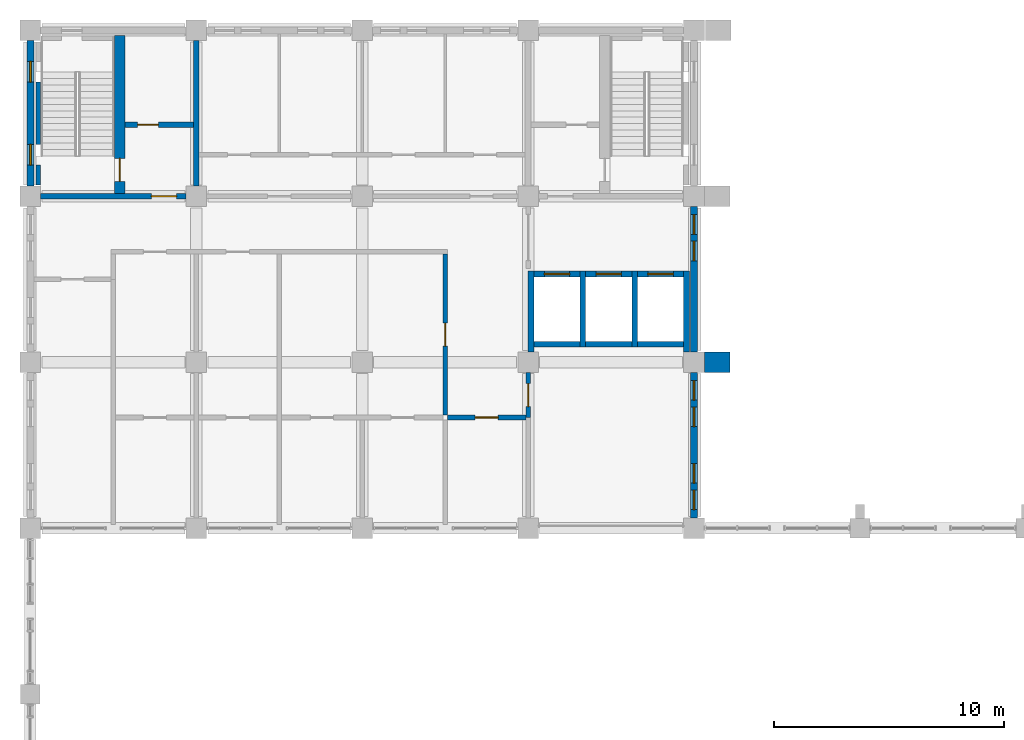
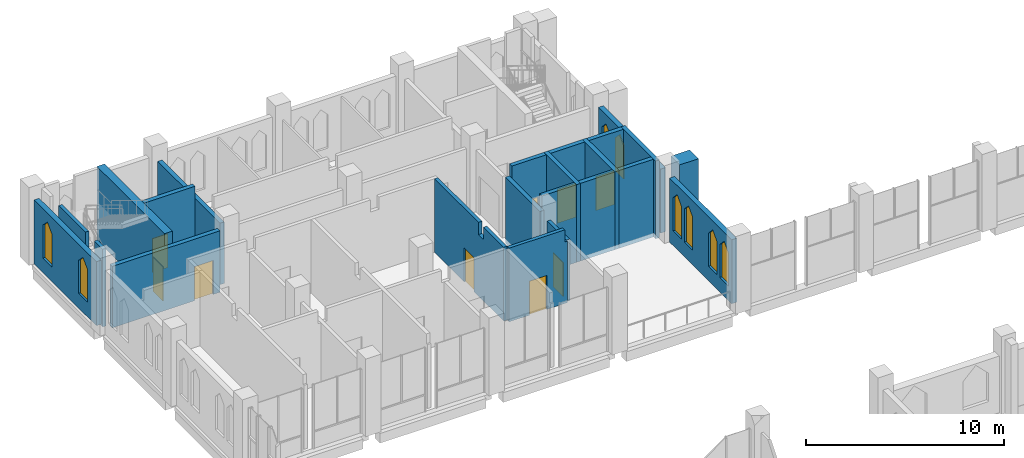
# One storey, part 31 of 40: 23 walls, 9 doors, 8 windows, 17 openings.
"""IFC4 building model written with IfcOpenShell, lengths in metres."""

from ifc_helpers import new_model, si_unit, direction, frame, frame_2d, origin, place, context, subcontext, project, spatial, polyline, rectangle, outline, extrude, material, layer, layer_set, type_object, element, fill, save


model = new_model("IFC4")

# Units and contexts
model_context = context("Model", 3, precision=1e-05, world=origin(), true_north=direction((0.0, 1.0)))
body_context = subcontext(model_context, "Body", "Model", "MODEL_VIEW")
ifc_project = project(units=[si_unit("LENGTHUNIT", "METRE"), si_unit("AREAUNIT", "SQUARE_METRE"), si_unit("VOLUMEUNIT", "CUBIC_METRE"), si_unit("PLANEANGLEUNIT", "RADIAN"), si_unit("MASSUNIT", "GRAM", prefix="KILO")], contexts=[model_context])

# Site, building, storey
site_placement = place(None, origin())
site = spatial("IfcSite", under=ifc_project, at=site_placement, CompositionType="ELEMENT")
building_placement = place(site_placement, origin())
building = spatial("IfcBuilding", under=site, at=building_placement, Name="Silangan Lancet Faculty of Sciences", CompositionType="ELEMENT")
storey_placement = place(building_placement, frame((0.0, 0.0, 16.800048828125)))
storey = spatial("IfcBuildingStorey", under=building, at=storey_placement, Name="L03", CompositionType="ELEMENT", Elevation=16.800048828125)

# Wall, openings, windows
ifc_material_1 = material(Name="Concrete C40/50 precast", Category="concrete")
ifc_layer_1 = layer(ifc_material_1, 0.300048828125)
ifc_layer_set_1 = layer_set([ifc_layer_1], Name="Concrete C40/50 precast")
wall_type_1 = type_object("IfcWallType", Name="EW1 Precast cladding wall", PredefinedType="STANDARD", material=ifc_layer_set_1)
wall_1_placement = place(storey_placement, frame((28.800048828125, 36.449951171875, 0.0), z_axis=(0.0, 0.0, 1.0), x_axis=(0.0, 1.0, 0.0)))
wall_1 = element("IfcWall", 1, at=wall_1_placement, inside=storey, type_object=wall_type_1, Name="EW-L03-E-NT-00", PredefinedType="STANDARD", context=body_context, shape_type="SweptSolid", body=[
    extrude(rectangle(XDim=6.300048828125, YDim=0.300048828125, at=frame_2d((3.14990234375, 0.0))), origin(), (0.0, 0.0, 1.0), 3.949951171875),
])
opening_1_placement = place(wall_1_placement, frame((0.35009765625, 0.0, 0.89990234375)))
opening_1 = element("IfcOpeningElement", 2, at=opening_1_placement, cuts=wall_1, Name="Opening W14", PredefinedType="OPENING", context=body_context, shape_type="SweptSolid", body=[
    extrude(outline(polyline([(0.0, 0.0), (0.85009765625, 0.0), (0.85009765625, 2.050048828125), (0.425048828125, 2.5), (0.0, 2.050048828125), (0.0, 0.0)])), frame((0.0, 0.159912109375, 0.0), z_axis=(0.0, -1.0, 0.0), x_axis=(1.0, 0.0, 0.0)), (0.0, 0.0, 1.0), 0.320068359375),
])
opening_2_placement = place(wall_1_placement, frame((1.5, 0.0, 0.89990234375)))
opening_2 = element("IfcOpeningElement", 3, at=opening_2_placement, cuts=wall_1, Name="Opening W14", PredefinedType="OPENING", context=body_context, shape_type="SweptSolid", body=[
    extrude(outline(polyline([(0.0, 0.0), (0.85009765625, 0.0), (0.85009765625, 2.050048828125), (0.425048828125, 2.5), (0.0, 2.050048828125), (0.0, 0.0)])), frame((0.0, 0.159912109375, 0.0), z_axis=(0.0, -1.0, 0.0), x_axis=(1.0, 0.0, 0.0)), (0.0, 0.0, 1.0), 0.320068359375),
])
opening_3_placement = place(wall_1_placement, frame((3.949951171875, 0.0, 0.89990234375)))
opening_3 = element("IfcOpeningElement", 4, at=opening_3_placement, cuts=wall_1, Name="Opening W14", PredefinedType="OPENING", context=body_context, shape_type="SweptSolid", body=[
    extrude(outline(polyline([(0.0, 0.0), (0.85009765625, 0.0), (0.85009765625, 2.050048828125), (0.425048828125, 2.5), (0.0, 2.050048828125), (0.0, 0.0)])), frame((0.0, 0.159912109375, 0.0), z_axis=(0.0, -1.0, 0.0), x_axis=(1.0, 0.0, 0.0)), (0.0, 0.0, 1.0), 0.320068359375),
])
opening_4_placement = place(wall_1_placement, frame((5.10009765625, 0.0, 0.89990234375)))
opening_4 = element("IfcOpeningElement", 5, at=opening_4_placement, cuts=wall_1, Name="Opening W14", PredefinedType="OPENING", context=body_context, shape_type="SweptSolid", body=[
    extrude(outline(polyline([(0.0, 0.0), (0.85009765625, 0.0), (0.85009765625, 2.050048828125), (0.425048828125, 2.5), (0.0, 2.050048828125), (0.0, 0.0)])), frame((0.0, 0.159912109375, 0.0), z_axis=(0.0, -1.0, 0.0), x_axis=(1.0, 0.0, 0.0)), (0.0, 0.0, 1.0), 0.320068359375),
])
ifc_material_2 = material(Name="Aluminium frame, laminated double glazing", Category="aluminium")
window_type_1 = type_object("IfcWindowType", Name="W14 Lancet window 850 x 2500", PartitioningType="SINGLE_PANEL", PredefinedType="WINDOW", material=ifc_material_2)
window_1_placement = place(opening_1_placement, origin())
window_1 = element("IfcWindow", 6, at=window_1_placement, inside=storey, type_object=window_type_1, Name="WIN-L03-E-NT-00a1", OverallHeight=2.5, OverallWidth=0.85009765625, PartitioningType="SINGLE_PANEL", PredefinedType="WINDOW", context=body_context, shape_type="SweptSolid", body=[
    extrude(outline(polyline([(0.0, 0.0), (0.85009765625, 0.0), (0.85009765625, 2.050048828125), (0.425048828125, 2.5), (0.0, 2.050048828125), (0.0, 0.0)])), frame((0.0, 0.030029296875, 0.0), z_axis=(0.0, -1.0, 0.0), x_axis=(1.0, 0.0, 0.0)), (0.0, 0.0, 1.0), 0.06005859375),
])
fill(opening_1, window_1)
window_2_placement = place(opening_2_placement, origin())
window_2 = element("IfcWindow", 7, at=window_2_placement, inside=storey, type_object=window_type_1, Name="WIN-L03-E-NT-00a2", OverallHeight=2.5, OverallWidth=0.85009765625, PartitioningType="SINGLE_PANEL", PredefinedType="WINDOW", context=body_context, shape_type="SweptSolid", body=[
    extrude(outline(polyline([(0.0, 0.0), (0.85009765625, 0.0), (0.85009765625, 2.050048828125), (0.425048828125, 2.5), (0.0, 2.050048828125), (0.0, 0.0)])), frame((0.0, 0.030029296875, 0.0), z_axis=(0.0, -1.0, 0.0), x_axis=(1.0, 0.0, 0.0)), (0.0, 0.0, 1.0), 0.06005859375),
])
fill(opening_2, window_2)
window_3_placement = place(opening_3_placement, origin())
window_3 = element("IfcWindow", 8, at=window_3_placement, inside=storey, type_object=window_type_1, Name="WIN-L03-E-NT-00b1", OverallHeight=2.5, OverallWidth=0.85009765625, PartitioningType="SINGLE_PANEL", PredefinedType="WINDOW", context=body_context, shape_type="SweptSolid", body=[
    extrude(outline(polyline([(0.0, 0.0), (0.85009765625, 0.0), (0.85009765625, 2.050048828125), (0.425048828125, 2.5), (0.0, 2.050048828125), (0.0, 0.0)])), frame((0.0, 0.030029296875, 0.0), z_axis=(0.0, -1.0, 0.0), x_axis=(1.0, 0.0, 0.0)), (0.0, 0.0, 1.0), 0.06005859375),
])
fill(opening_3, window_3)
window_4_placement = place(opening_4_placement, origin())
window_4 = element("IfcWindow", 9, at=window_4_placement, inside=storey, type_object=window_type_1, Name="WIN-L03-E-NT-00b2", OverallHeight=2.5, OverallWidth=0.85009765625, PartitioningType="SINGLE_PANEL", PredefinedType="WINDOW", context=body_context, shape_type="SweptSolid", body=[
    extrude(outline(polyline([(0.0, 0.0), (0.85009765625, 0.0), (0.85009765625, 2.050048828125), (0.425048828125, 2.5), (0.0, 2.050048828125), (0.0, 0.0)])), frame((0.0, 0.030029296875, 0.0), z_axis=(0.0, -1.0, 0.0), x_axis=(1.0, 0.0, 0.0)), (0.0, 0.0, 1.0), 0.06005859375),
])
fill(opening_4, window_4)

wall_2_placement = place(storey_placement, frame((28.800048828125, 43.64990234375, 0.0), z_axis=(0.0, 0.0, 1.0), x_axis=(0.0, 1.0, 0.0)))
wall_2 = element("IfcWall", 10, at=wall_2_placement, inside=storey, type_object=wall_type_1, Name="EW-L03-E-NT-01", PredefinedType="STANDARD", context=body_context, shape_type="SweptSolid", body=[
    extrude(rectangle(XDim=6.300048828125, YDim=0.300048828125, at=frame_2d((3.14990234375, 0.0))), origin(), (0.0, 0.0, 1.0), 3.949951171875),
])
opening_5_placement = place(wall_2_placement, frame((3.949951171875, 0.0, 0.89990234375)))
opening_5 = element("IfcOpeningElement", 11, at=opening_5_placement, cuts=wall_2, Name="Opening W14", PredefinedType="OPENING", context=body_context, shape_type="SweptSolid", body=[
    extrude(outline(polyline([(0.0, 0.0), (0.85009765625, 0.0), (0.85009765625, 2.050048828125), (0.425048828125, 2.5), (0.0, 2.050048828125), (0.0, 0.0)])), frame((0.0, 0.159912109375, 0.0), z_axis=(0.0, -1.0, 0.0), x_axis=(1.0, 0.0, 0.0)), (0.0, 0.0, 1.0), 0.320068359375),
])
opening_6_placement = place(wall_2_placement, frame((5.10009765625, 0.0, 0.89990234375)))
opening_6 = element("IfcOpeningElement", 12, at=opening_6_placement, cuts=wall_2, Name="Opening W14", PredefinedType="OPENING", context=body_context, shape_type="SweptSolid", body=[
    extrude(outline(polyline([(0.0, 0.0), (0.85009765625, 0.0), (0.85009765625, 2.050048828125), (0.425048828125, 2.5), (0.0, 2.050048828125), (0.0, 0.0)])), frame((0.0, 0.159912109375, 0.0), z_axis=(0.0, -1.0, 0.0), x_axis=(1.0, 0.0, 0.0)), (0.0, 0.0, 1.0), 0.320068359375),
])
window_5_placement = place(opening_5_placement, origin())
window_5 = element("IfcWindow", 13, at=window_5_placement, inside=storey, type_object=window_type_1, Name="WIN-L03-E-NT-01b1", OverallHeight=2.5, OverallWidth=0.85009765625, PartitioningType="SINGLE_PANEL", PredefinedType="WINDOW", context=body_context, shape_type="SweptSolid", body=[
    extrude(outline(polyline([(0.0, 0.0), (0.85009765625, 0.0), (0.85009765625, 2.050048828125), (0.425048828125, 2.5), (0.0, 2.050048828125), (0.0, 0.0)])), frame((0.0, 0.030029296875, 0.0), z_axis=(0.0, -1.0, 0.0), x_axis=(1.0, 0.0, 0.0)), (0.0, 0.0, 1.0), 0.06005859375),
])
fill(opening_5, window_5)
window_6_placement = place(opening_6_placement, origin())
window_6 = element("IfcWindow", 14, at=window_6_placement, inside=storey, type_object=window_type_1, Name="WIN-L03-E-NT-01b2", OverallHeight=2.5, OverallWidth=0.85009765625, PartitioningType="SINGLE_PANEL", PredefinedType="WINDOW", context=body_context, shape_type="SweptSolid", body=[
    extrude(outline(polyline([(0.0, 0.0), (0.85009765625, 0.0), (0.85009765625, 2.050048828125), (0.425048828125, 2.5), (0.0, 2.050048828125), (0.0, 0.0)])), frame((0.0, 0.030029296875, 0.0), z_axis=(0.0, -1.0, 0.0), x_axis=(1.0, 0.0, 0.0)), (0.0, 0.0, 1.0), 0.06005859375),
])
fill(opening_6, window_6)

ifc_material_3 = material(Name="Concrete C40/50 precast", Category="concrete")
ifc_layer_2 = layer(ifc_material_3, 0.300048828125)
ifc_layer_set_2 = layer_set([ifc_layer_2], Name="Concrete C40/50 precast")
wall_type_2 = type_object("IfcWallType", Name="EW2 Turret enclosure wall", PredefinedType="STANDARD", material=ifc_layer_set_2)
wall_3_placement = place(storey_placement, frame((0.0, 50.85009765625, 0.0), z_axis=(0.0, 0.0, 1.0), x_axis=(0.0, 1.0, 0.0)))
wall_3 = element("IfcWall", 15, at=wall_3_placement, inside=storey, type_object=wall_type_2, Name="EW-L03-W-NT-02", PredefinedType="STANDARD", context=body_context, shape_type="SweptSolid", body=[
    extrude(rectangle(XDim=6.2998046875, YDim=0.300048828125, at=frame_2d((3.14990234375, 0.0))), origin(), (0.0, 0.0, 1.0), 3.949951171875),
])
opening_7_placement = place(wall_3_placement, frame((0.89990234375, 0.0, 0.89990234375)))
opening_7 = element("IfcOpeningElement", 16, at=opening_7_placement, cuts=wall_3, Name="Opening W11", PredefinedType="OPENING", context=body_context, shape_type="SweptSolid", body=[
    extrude(outline(polyline([(0.0, 0.0), (0.89990234375, 0.0), (0.89990234375, 2.050048828125), (0.449951171875, 2.5), (0.0, 2.050048828125), (0.0, 0.0)])), frame((0.0, 0.159912109375, 0.0), z_axis=(0.0, -1.0, 0.0), x_axis=(1.0, 0.0, 0.0)), (0.0, 0.0, 1.0), 0.320068359375),
])
opening_8_placement = place(wall_3_placement, frame((4.5, 0.0, 0.89990234375)))
opening_8 = element("IfcOpeningElement", 17, at=opening_8_placement, cuts=wall_3, Name="Opening W11", PredefinedType="OPENING", context=body_context, shape_type="SweptSolid", body=[
    extrude(outline(polyline([(0.0, 0.0), (0.89990234375, 0.0), (0.89990234375, 2.050048828125), (0.449951171875, 2.5), (0.0, 2.050048828125), (0.0, 0.0)])), frame((0.0, 0.159912109375, 0.0), z_axis=(0.0, -1.0, 0.0), x_axis=(1.0, 0.0, 0.0)), (0.0, 0.0, 1.0), 0.320068359375),
])
ifc_material_4 = material(Name="Aluminium frame, laminated double glazing", Category="aluminium")
window_type_2 = type_object("IfcWindowType", Name="W11 Lancet window 900 x 2500", PartitioningType="SINGLE_PANEL", PredefinedType="WINDOW", material=ifc_material_4)
window_7_placement = place(opening_7_placement, origin())
window_7 = element("IfcWindow", 18, at=window_7_placement, inside=storey, type_object=window_type_2, Name="WIN-L03-W-NT-02a", OverallHeight=2.5, OverallWidth=0.89990234375, PartitioningType="SINGLE_PANEL", PredefinedType="WINDOW", context=body_context, shape_type="SweptSolid", body=[
    extrude(outline(polyline([(0.0, 0.0), (0.89990234375, 0.0), (0.89990234375, 2.050048828125), (0.449951171875, 2.5), (0.0, 2.050048828125), (0.0, 0.0)])), frame((0.0, 0.030029296875, 0.0), z_axis=(0.0, -1.0, 0.0), x_axis=(1.0, 0.0, 0.0)), (0.0, 0.0, 1.0), 0.06005859375),
])
fill(opening_7, window_7)
window_8_placement = place(opening_8_placement, origin())
window_8 = element("IfcWindow", 19, at=window_8_placement, inside=storey, type_object=window_type_2, Name="WIN-L03-W-NT-02b", OverallHeight=2.5, OverallWidth=0.89990234375, PartitioningType="SINGLE_PANEL", PredefinedType="WINDOW", context=body_context, shape_type="SweptSolid", body=[
    extrude(outline(polyline([(0.0, 0.0), (0.89990234375, 0.0), (0.89990234375, 2.050048828125), (0.449951171875, 2.5), (0.0, 2.050048828125), (0.0, 0.0)])), frame((0.0, 0.030029296875, 0.0), z_axis=(0.0, -1.0, 0.0), x_axis=(1.0, 0.0, 0.0)), (0.0, 0.0, 1.0), 0.06005859375),
])
fill(opening_8, window_8)

# Wall
ifc_material_5 = material(Name="Concrete C40/50 precast", Category="concrete")
ifc_layer_3 = layer(ifc_material_5, 0.89990234375)
ifc_layer_set_3 = layer_set([ifc_layer_3], Name="Concrete C40/50 precast")
wall_type_3 = type_object("IfcWallType", Name="FN46 Buttress Fin column line stage 1 4550", PredefinedType="POLYGONAL", material=ifc_layer_set_3)
wall_4_placement = place(storey_placement, frame((29.25, 43.199951171875, 0.0), z_axis=(0.0, 0.0, 1.0), x_axis=(1.0, 0.0, 0.0)))
element("IfcWall", 20, at=wall_4_placement, inside=storey, type_object=wall_type_3, Name="FINC-E-NT-02", PredefinedType="POLYGONAL", context=body_context, shape_type="SweptSolid", body=[
    extrude(outline(polyline([(1.10009765625, 0.0), (1.10009765625, 4.550048828125), (0.0, 4.550048828125), (0.0, 0.0), (1.10009765625, 0.0)])), frame((0.0, 0.449951171875, 0.0), z_axis=(0.0, -1.0, 0.0), x_axis=(1.0, 0.0, 0.0)), (0.0, 0.0, 1.0), 0.89990234375),
])

# Wall, opening, door
ifc_material_6 = material(Name="Hollow block masonry fm 7 MPa", Category="masonry")
ifc_layer_4 = layer(ifc_material_6, 0.199951171875)
ifc_layer_set_4 = layer_set([ifc_layer_4], Name="Hollow block masonry fm 7 MPa")
wall_type_4 = type_object("IfcWallType", Name="Interior wall PW1 Corridor wall CHB 200", PredefinedType="PARTITIONING", material=ifc_layer_set_4)
wall_5_placement = place(storey_placement, frame((18.10009765625, 40.800048828125, 0.0), z_axis=(0.0, 0.0, 1.0), x_axis=(1.0, 0.0, 0.0)))
wall_5 = element("IfcWall", 21, at=wall_5_placement, inside=storey, type_object=wall_type_4, Name="Corridor wall CHB 200", PredefinedType="PARTITIONING", context=body_context, shape_type="SweptSolid", body=[
    extrude(outline(polyline([(0.0, 0.0), (3.39990234375, 0.0), (3.39990234375, 3.800048828125), (3.25, 3.800048828125), (3.25, 4.550048828125), (0.0, 4.550048828125), (0.0, 0.0)])), frame((0.0, 0.10009765625, 0.0), z_axis=(0.0, -1.0, 0.0), x_axis=(1.0, 0.0, 0.0)), (0.0, 0.0, 1.0), 0.199951171875),
])
opening_9_placement = place(wall_5_placement, frame((1.199951171875, 0.0, 0.0)))
opening_9 = element("IfcOpeningElement", 22, at=opening_9_placement, cuts=wall_5, Name="Opening L03-025", PredefinedType="OPENING", context=body_context, shape_type="SweptSolid", body=[
    extrude(rectangle(XDim=1.0, YDim=2.10009765625, at=frame_2d((0.5, 1.050048828125))), frame((0.0, 0.10986328125, 0.0), z_axis=(0.0, -1.0, 0.0), x_axis=(1.0, 0.0, 0.0)), (0.0, 0.0, 1.0), 0.219970703125),
])
ifc_material_7 = material(Name="Steel fire door set", Category="steel")
door_type_1 = type_object("IfcDoorType", Name="Door D1 Single leaf fire door 1000 x 2100", OperationType="SINGLE_SWING_LEFT", PredefinedType="DOOR", material=ifc_material_7)
door_1_placement = place(opening_9_placement, frame((1.0, 0.0, 0.0), z_axis=(0.0, 0.0, 1.0), x_axis=(-1.0, 0.0, 0.0)))
door_1 = element("IfcDoor", 23, at=door_1_placement, inside=storey, type_object=door_type_1, Name="Single leaf fire door 1000 x 2100", OperationType="SINGLE_SWING_LEFT", OverallHeight=2.10009765625, OverallWidth=1.0, PredefinedType="DOOR", context=body_context, shape_type="SweptSolid", body=[
    extrude(rectangle(XDim=1.0, YDim=2.10009765625, at=frame_2d((0.5, 1.050048828125))), frame((0.0, 0.025146484375, 0.0), z_axis=(0.0, -1.0, 0.0), x_axis=(1.0, 0.0, 0.0)), (0.0, 0.0, 1.0), 0.050048828125),
])
fill(opening_9, door_1)

wall_6_placement = place(storey_placement, frame((18.0, 40.89990234375, 0.0), z_axis=(0.0, 0.0, 1.0), x_axis=(0.0, 1.0, 0.0)))
wall_6 = element("IfcWall", 24, at=wall_6_placement, inside=storey, type_object=wall_type_4, Name="Corridor wall CHB 200", PredefinedType="PARTITIONING", context=body_context, shape_type="SweptSolid", body=[
    extrude(outline(polyline([(0.0, 0.0), (7.0, 0.0), (7.0, 4.550048828125), (2.550048828125, 4.550048828125), (2.550048828125, 3.800048828125), (2.050048828125, 3.800048828125), (2.050048828125, 4.550048828125), (0.0, 4.550048828125), (0.0, 0.0)])), frame((0.0, 0.10009765625, 0.0), z_axis=(0.0, -1.0, 0.0), x_axis=(1.0, 0.0, 0.0)), (0.0, 0.0, 1.0), 0.199951171875),
])
opening_10_placement = place(wall_6_placement, frame((3.0, 0.0, 0.0)))
opening_10 = element("IfcOpeningElement", 25, at=opening_10_placement, cuts=wall_6, Name="Opening L03-032", PredefinedType="OPENING", context=body_context, shape_type="SweptSolid", body=[
    extrude(rectangle(XDim=1.0, YDim=2.10009765625, at=frame_2d((0.5, 1.050048828125))), frame((0.0, 0.10986328125, 0.0), z_axis=(0.0, -1.0, 0.0), x_axis=(1.0, 0.0, 0.0)), (0.0, 0.0, 1.0), 0.219970703125),
])
door_2_placement = place(opening_10_placement, origin())
door_2 = element("IfcDoor", 26, at=door_2_placement, inside=storey, type_object=door_type_1, Name="Single leaf fire door 1000 x 2100", OperationType="SINGLE_SWING_LEFT", OverallHeight=2.10009765625, OverallWidth=1.0, PredefinedType="DOOR", context=body_context, shape_type="SweptSolid", body=[
    extrude(rectangle(XDim=1.0, YDim=2.10009765625, at=frame_2d((0.5, 1.050048828125))), frame((0.0, 0.02490234375, 0.0), z_axis=(0.0, -1.0, 0.0), x_axis=(1.0, 0.0, 0.0)), (0.0, 0.0, 1.0), 0.050048828125),
])
fill(opening_10, door_2)

wall_7_placement = place(storey_placement, frame((21.60009765625, 40.800048828125, 0.0), z_axis=(0.0, 0.0, 1.0), x_axis=(0.0, 1.0, 0.0)))
wall_7 = element("IfcWall", 27, at=wall_7_placement, inside=storey, type_object=wall_type_4, Name="Corridor wall CHB 200", PredefinedType="PARTITIONING", context=body_context, shape_type="SweptSolid", body=[
    extrude(rectangle(XDim=1.949951171875, YDim=0.199951171875, at=frame_2d((0.97509765625, 0.0))), origin(), (0.0, 0.0, 1.0), 3.800048828125),
])
opening_11_placement = place(wall_7_placement, frame((0.47509765625, 0.0, 0.0)))
opening_11 = element("IfcOpeningElement", 28, at=opening_11_placement, cuts=wall_7, Name="Opening L03-026", PredefinedType="OPENING", context=body_context, shape_type="SweptSolid", body=[
    extrude(rectangle(XDim=1.0, YDim=2.10009765625, at=frame_2d((0.5, 1.050048828125))), frame((0.0, 0.10986328125, 0.0), z_axis=(0.0, -1.0, 0.0), x_axis=(1.0, 0.0, 0.0)), (0.0, 0.0, 1.0), 0.219970703125),
])
door_3_placement = place(opening_11_placement, frame((1.0, 0.0, 0.0), z_axis=(0.0, 0.0, 1.0), x_axis=(-1.0, 0.0, 0.0)))
door_3 = element("IfcDoor", 29, at=door_3_placement, inside=storey, type_object=door_type_1, Name="Single leaf fire door 1000 x 2100", OperationType="SINGLE_SWING_RIGHT", OverallHeight=2.10009765625, OverallWidth=1.0, PredefinedType="DOOR", context=body_context, shape_type="SweptSolid", body=[
    extrude(rectangle(XDim=1.0, YDim=2.10009765625, at=frame_2d((0.5, 1.050048828125))), frame((0.0, 0.025146484375, 0.0), z_axis=(0.0, -1.0, 0.0), x_axis=(1.0, 0.0, 0.0)), (0.0, 0.0, 1.0), 0.050048828125),
])
fill(opening_11, door_3)

# Walls
ifc_material_8 = material(Name="Concrete C40/50", Category="concrete")
ifc_layer_5 = layer(ifc_material_8, 0.25)
ifc_layer_set_5 = layer_set([ifc_layer_5], Name="Concrete C40/50")
wall_type_5 = type_object("IfcWallType", Name="LIFT SHAFT WALL RC 250", PredefinedType="SHEAR", material=ifc_layer_set_5)
wall_8_placement = place(storey_placement, frame((21.72509765625, 43.64990234375, -0.25), z_axis=(0.0, 0.0, 1.0), x_axis=(0.0, 1.0, 0.0)))
element("IfcWall", 30, at=wall_8_placement, inside=storey, type_object=wall_type_5, Name="WALL-L03-NT-SW1", PredefinedType="SHEAR", context=body_context, shape_type="SweptSolid", body=[
    extrude(rectangle(XDim=3.5, YDim=0.25, at=frame_2d((1.75, 0.0))), origin(), (0.0, 0.0, 1.0), 4.050048828125),
])
for number, where, z_axis, x_axis, name in (
    (31, (23.97509765625, 43.85009765625, -0.25), (0.0, 0.0, 1.0), (0.0, 1.0, 0.0), "WALL-L03-NT-SW2"),
    (32, (26.22509765625, 43.85009765625, -0.25), (0.0, 0.0, 1.0), (0.0, 1.0, 0.0), "WALL-L03-NT-SW3"),
):
    element("IfcWall", number, at=place(storey_placement, frame(where, z_axis=z_axis, x_axis=x_axis)), inside=storey, type_object=wall_type_5, Name=name, PredefinedType="SHEAR", context=body_context, shape_type="SweptSolid", body=[
        extrude(rectangle(XDim=3.2998046875, YDim=0.25, at=frame_2d((1.64990234375, 0.0))), origin(), (0.0, 0.0, 1.0), 4.800048828125),
    ])
wall_9_placement = place(storey_placement, frame((28.47509765625, 43.64990234375, -0.25), z_axis=(0.0, 0.0, 1.0), x_axis=(0.0, 1.0, 0.0)))
element("IfcWall", 33, at=wall_9_placement, inside=storey, type_object=wall_type_5, Name="WALL-L03-NT-SW4", PredefinedType="SHEAR", context=body_context, shape_type="SweptSolid", body=[
    extrude(rectangle(XDim=3.5, YDim=0.25, at=frame_2d((1.75, 0.0))), origin(), (0.0, 0.0, 1.0), 4.800048828125),
])

# Wall, opening, door
wall_10_placement = place(storey_placement, frame((21.85009765625, 47.02490234375, -0.25), z_axis=(0.0, 0.0, 1.0), x_axis=(1.0, 0.0, 0.0)))
wall_10 = element("IfcWall", 34, at=wall_10_placement, inside=storey, type_object=wall_type_5, Name="WALL-L03-NT-L1-F", PredefinedType="SHEAR", context=body_context, shape_type="SweptSolid", body=[
    extrude(rectangle(XDim=2.0, YDim=0.25, at=frame_2d((1.0, 0.0))), origin(), (0.0, 0.0, 1.0), 4.800048828125),
])
opening_12_placement = place(wall_10_placement, frame((0.449951171875, 0.0, 0.25)))
opening_12 = element("IfcOpeningElement", 35, at=opening_12_placement, cuts=wall_10, Name="Opening L03-804", PredefinedType="OPENING", context=body_context, shape_type="SweptSolid", body=[
    extrude(rectangle(XDim=1.10009765625, YDim=2.10009765625, at=frame_2d((0.550048828125, 1.050048828125))), frame((0.0, 0.135009765625, 0.0), z_axis=(0.0, -1.0, 0.0), x_axis=(1.0, 0.0, 0.0)), (0.0, 0.0, 1.0), 0.27001953125),
])
ifc_material_9 = material(Name="Stainless steel sliding door", Category="steel")
door_type_2 = type_object("IfcDoorType", Name="LD1 Lift landing door 1100x2100", OperationType="SLIDING_TO_LEFT", PredefinedType="DOOR", material=ifc_material_9)
door_4_placement = place(opening_12_placement, origin())
door_4 = element("IfcDoor", 36, at=door_4_placement, inside=storey, type_object=door_type_2, Name="Landing door NT-L1 L03", OperationType="SLIDING_TO_LEFT", OverallHeight=2.10009765625, OverallWidth=1.10009765625, PredefinedType="DOOR", context=body_context, shape_type="SweptSolid", body=[
    extrude(rectangle(XDim=1.10009765625, YDim=2.10009765625, at=frame_2d((0.550048828125, 1.050048828125))), frame((0.0, 0.02490234375, 0.0), z_axis=(0.0, -1.0, 0.0), x_axis=(1.0, 0.0, 0.0)), (0.0, 0.0, 1.0), 0.050048828125),
])
fill(opening_12, door_4)

# Wall
wall_11_placement = place(storey_placement, frame((21.85009765625, 43.97509765625, -0.25), z_axis=(0.0, 0.0, 1.0), x_axis=(1.0, 0.0, 0.0)))
element("IfcWall", 37, at=wall_11_placement, inside=storey, type_object=wall_type_5, Name="WALL-L03-NT-L1-B", PredefinedType="SHEAR", context=body_context, shape_type="SweptSolid", body=[
    extrude(rectangle(XDim=2.0, YDim=0.25, at=frame_2d((1.0, 0.0))), origin(), (0.0, 0.0, 1.0), 4.800048828125),
])

# Wall, opening, door
wall_12_placement = place(storey_placement, frame((24.10009765625, 47.02490234375, -0.25), z_axis=(0.0, 0.0, 1.0), x_axis=(1.0, 0.0, 0.0)))
wall_12 = element("IfcWall", 38, at=wall_12_placement, inside=storey, type_object=wall_type_5, Name="WALL-L03-NT-L2-F", PredefinedType="SHEAR", context=body_context, shape_type="SweptSolid", body=[
    extrude(rectangle(XDim=2.0, YDim=0.25, at=frame_2d((1.0, 0.0))), origin(), (0.0, 0.0, 1.0), 4.800048828125),
])
opening_13_placement = place(wall_12_placement, frame((0.449951171875, 0.0, 0.25)))
opening_13 = element("IfcOpeningElement", 39, at=opening_13_placement, cuts=wall_12, Name="Opening L03-805", PredefinedType="OPENING", context=body_context, shape_type="SweptSolid", body=[
    extrude(rectangle(XDim=1.10009765625, YDim=2.10009765625, at=frame_2d((0.550048828125, 1.050048828125))), frame((0.0, 0.135009765625, 0.0), z_axis=(0.0, -1.0, 0.0), x_axis=(1.0, 0.0, 0.0)), (0.0, 0.0, 1.0), 0.27001953125),
])
door_5_placement = place(opening_13_placement, origin())
door_5 = element("IfcDoor", 40, at=door_5_placement, inside=storey, type_object=door_type_2, Name="Landing door NT-L2 L03", OperationType="SLIDING_TO_LEFT", OverallHeight=2.10009765625, OverallWidth=1.10009765625, PredefinedType="DOOR", context=body_context, shape_type="SweptSolid", body=[
    extrude(rectangle(XDim=1.10009765625, YDim=2.10009765625, at=frame_2d((0.550048828125, 1.050048828125))), frame((0.0, 0.02490234375, 0.0), z_axis=(0.0, -1.0, 0.0), x_axis=(1.0, 0.0, 0.0)), (0.0, 0.0, 1.0), 0.050048828125),
])
fill(opening_13, door_5)

# Wall
wall_13_placement = place(storey_placement, frame((24.10009765625, 43.97509765625, -0.25), z_axis=(0.0, 0.0, 1.0), x_axis=(1.0, 0.0, 0.0)))
element("IfcWall", 41, at=wall_13_placement, inside=storey, type_object=wall_type_5, Name="WALL-L03-NT-L2-B", PredefinedType="SHEAR", context=body_context, shape_type="SweptSolid", body=[
    extrude(rectangle(XDim=2.0, YDim=0.25, at=frame_2d((1.0, 0.0))), origin(), (0.0, 0.0, 1.0), 4.800048828125),
])

# Wall, opening, door
wall_14_placement = place(storey_placement, frame((26.35009765625, 47.02490234375, -0.25), z_axis=(0.0, 0.0, 1.0), x_axis=(1.0, 0.0, 0.0)))
wall_14 = element("IfcWall", 42, at=wall_14_placement, inside=storey, type_object=wall_type_5, Name="WALL-L03-NT-L3-F", PredefinedType="SHEAR", context=body_context, shape_type="SweptSolid", body=[
    extrude(rectangle(XDim=2.0, YDim=0.25, at=frame_2d((1.0, 0.0))), origin(), (0.0, 0.0, 1.0), 4.800048828125),
])
opening_14_placement = place(wall_14_placement, frame((0.449951171875, 0.0, 0.25)))
opening_14 = element("IfcOpeningElement", 43, at=opening_14_placement, cuts=wall_14, Name="Opening L03-806", PredefinedType="OPENING", context=body_context, shape_type="SweptSolid", body=[
    extrude(rectangle(XDim=1.10009765625, YDim=2.10009765625, at=frame_2d((0.550048828125, 1.050048828125))), frame((0.0, 0.135009765625, 0.0), z_axis=(0.0, -1.0, 0.0), x_axis=(1.0, 0.0, 0.0)), (0.0, 0.0, 1.0), 0.27001953125),
])
door_6_placement = place(opening_14_placement, origin())
door_6 = element("IfcDoor", 44, at=door_6_placement, inside=storey, type_object=door_type_2, Name="Landing door NT-L3 L03", OperationType="SLIDING_TO_LEFT", OverallHeight=2.10009765625, OverallWidth=1.10009765625, PredefinedType="DOOR", context=body_context, shape_type="SweptSolid", body=[
    extrude(rectangle(XDim=1.10009765625, YDim=2.10009765625, at=frame_2d((0.550048828125, 1.050048828125))), frame((0.0, 0.02490234375, 0.0), z_axis=(0.0, -1.0, 0.0), x_axis=(1.0, 0.0, 0.0)), (0.0, 0.0, 1.0), 0.050048828125),
])
fill(opening_14, door_6)

# Wall
wall_15_placement = place(storey_placement, frame((26.35009765625, 43.97509765625, -0.25), z_axis=(0.0, 0.0, 1.0), x_axis=(1.0, 0.0, 0.0)))
element("IfcWall", 45, at=wall_15_placement, inside=storey, type_object=wall_type_5, Name="WALL-L03-NT-L3-B", PredefinedType="SHEAR", context=body_context, shape_type="SweptSolid", body=[
    extrude(rectangle(XDim=2.0, YDim=0.25, at=frame_2d((1.0, 0.0))), origin(), (0.0, 0.0, 1.0), 4.800048828125),
])

# Wall, opening, door
ifc_material_10 = material(Name="Concrete C40/50", Category="concrete")
ifc_layer_6 = layer(ifc_material_10, 0.449951171875)
ifc_layer_set_6 = layer_set([ifc_layer_6], Name="Concrete C40/50")
wall_type_6 = type_object("IfcWallType", Name="TURRET CORE WALL RC 450", PredefinedType="SHEAR", material=ifc_layer_set_6)
wall_16_placement = place(storey_placement, frame((3.875, 50.52490234375, 0.0), z_axis=(0.0, 0.0, 1.0), x_axis=(0.0, 1.0, 0.0)))
wall_16 = element("IfcWall", 46, at=wall_16_placement, inside=storey, type_object=wall_type_6, Name="WALL-L03-NT-A-WELL", PredefinedType="SHEAR", context=body_context, shape_type="SweptSolid", body=[
    extrude(rectangle(XDim=6.85009765625, YDim=0.449951171875, at=frame_2d((3.425048828125, 0.0))), origin(), (0.0, 0.0, 1.0), 4.550048828125),
])
opening_15_placement = place(wall_16_placement, frame((0.52490234375, 0.0, 0.0)))
opening_15 = element("IfcOpeningElement", 47, at=opening_15_placement, cuts=wall_16, Name="Opening L03-707", PredefinedType="OPENING", context=body_context, shape_type="SweptSolid", body=[
    extrude(rectangle(XDim=1.0, YDim=2.10009765625, at=frame_2d((0.5, 1.050048828125))), frame((0.0, 0.23486328125, 0.0), z_axis=(0.0, -1.0, 0.0), x_axis=(1.0, 0.0, 0.0)), (0.0, 0.0, 1.0), 0.469970703125),
])
ifc_material_11 = material(Name="Steel fire door set", Category="steel")
door_type_3 = type_object("IfcDoorType", Name="D71 Stair enclosure door 1000x2100", OperationType="SINGLE_SWING_LEFT", PredefinedType="DOOR", material=ifc_material_11)
door_7_placement = place(opening_15_placement, origin())
door_7 = element("IfcDoor", 48, at=door_7_placement, inside=storey, type_object=door_type_3, Name="Stair enclosure door NT-A L03", OperationType="SINGLE_SWING_LEFT", OverallHeight=2.10009765625, OverallWidth=1.0, PredefinedType="DOOR", context=body_context, shape_type="SweptSolid", body=[
    extrude(rectangle(XDim=1.0, YDim=2.10009765625, at=frame_2d((0.5, 1.050048828125))), frame((0.0, 0.02490234375, 0.0), z_axis=(0.0, -1.0, 0.0), x_axis=(1.0, 0.0, 0.0)), (0.0, 0.0, 1.0), 0.050048828125),
])
fill(opening_15, door_7)

# Walls
ifc_material_12 = material(Name="Concrete C40/50", Category="concrete")
ifc_layer_7 = layer(ifc_material_12, 0.199951171875)
ifc_layer_set_7 = layer_set([ifc_layer_7], Name="Concrete C40/50")
wall_type_7 = type_object("IfcWallType", Name="TURRET LINING WALL RC 200", PredefinedType="SHEAR", material=ifc_layer_set_7)
wall_17_placement = place(storey_placement, frame((0.35009765625, 50.89990234375, -0.25), z_axis=(0.0, 0.0, 1.0), x_axis=(0.0, 1.0, 0.0)))
element("IfcWall", 49, at=wall_17_placement, inside=storey, type_object=wall_type_7, Name="WALL-L03-NT-A-WL", PredefinedType="SHEAR", context=body_context, shape_type="SweptSolid", body=[
    extrude(rectangle(XDim=0.85009765625, YDim=0.199951171875, at=frame_2d((0.425048828125, 0.0))), origin(), (0.0, 0.0, 1.0), 4.800048828125),
])
wall_18_placement = place(storey_placement, frame((0.35009765625, 52.64990234375, -0.25), z_axis=(0.0, 0.0, 1.0), x_axis=(0.0, 1.0, 0.0)))
element("IfcWall", 50, at=wall_18_placement, inside=storey, type_object=wall_type_7, Name="WALL-L03-NT-A-WL-2", PredefinedType="SHEAR", context=body_context, shape_type="SweptSolid", body=[
    extrude(rectangle(XDim=2.7001953125, YDim=0.199951171875, at=frame_2d((1.35009765625, 0.0))), origin(), (0.0, 0.0, 1.0), 4.800048828125),
])

# Wall, opening, door
ifc_material_13 = material(Name="Concrete C40/50", Category="concrete")
ifc_layer_8 = layer(ifc_material_13, 0.25)
ifc_layer_set_8 = layer_set([ifc_layer_8], Name="Concrete C40/50")
wall_type_8 = type_object("IfcWallType", Name="TURRET WALL RC 250", PredefinedType="SHEAR", material=ifc_layer_set_8)
wall_19_placement = place(storey_placement, frame((0.449951171875, 50.39990234375, 0.0), z_axis=(0.0, 0.0, 1.0), x_axis=(1.0, 0.0, 0.0)))
wall_19 = element("IfcWall", 51, at=wall_19_placement, inside=storey, type_object=wall_type_8, Name="WALL-L03-NT-A-V", PredefinedType="SHEAR", context=body_context, shape_type="SweptSolid", body=[
    extrude(rectangle(XDim=6.300048828125, YDim=0.25, at=frame_2d((3.14990234375, 0.0))), origin(), (0.0, 0.0, 1.0), 3.800048828125),
])
opening_16_placement = place(wall_19_placement, frame((4.800048828125, 0.0, 0.0)))
opening_16 = element("IfcOpeningElement", 52, at=opening_16_placement, cuts=wall_19, Name="Opening L03-708", PredefinedType="OPENING", context=body_context, shape_type="SweptSolid", body=[
    extrude(rectangle(XDim=1.10009765625, YDim=2.10009765625, at=frame_2d((0.550048828125, 1.050048828125))), frame((0.0, 0.135009765625, 0.0), z_axis=(0.0, -1.0, 0.0), x_axis=(1.0, 0.0, 0.0)), (0.0, 0.0, 1.0), 0.27001953125),
])
ifc_material_14 = material(Name="Steel fire door set", Category="steel")
door_type_4 = type_object("IfcDoorType", Name="D70 Stair vestibule door 1100x2100", OperationType="SINGLE_SWING_LEFT", PredefinedType="DOOR", material=ifc_material_14)
door_8_placement = place(opening_16_placement, origin())
door_8 = element("IfcDoor", 53, at=door_8_placement, inside=storey, type_object=door_type_4, Name="Stair vestibule door NT-A L03", OperationType="SINGLE_SWING_RIGHT", OverallHeight=2.10009765625, OverallWidth=1.10009765625, PredefinedType="DOOR", context=body_context, shape_type="SweptSolid", body=[
    extrude(rectangle(XDim=1.10009765625, YDim=2.10009765625, at=frame_2d((0.550048828125, 1.050048828125))), frame((0.0, 0.02490234375, 0.0), z_axis=(0.0, -1.0, 0.0), x_axis=(1.0, 0.0, 0.0)), (0.0, 0.0, 1.0), 0.050048828125),
])
fill(opening_16, door_8)

# Wall
wall_20_placement = place(storey_placement, frame((7.199951171875, 50.85009765625, 0.0), z_axis=(0.0, 0.0, 1.0), x_axis=(0.0, 1.0, 0.0)))
element("IfcWall", 54, at=wall_20_placement, inside=storey, type_object=wall_type_8, Name="WALL-L03-NT-A-O", PredefinedType="SHEAR", context=body_context, shape_type="SweptSolid", body=[
    extrude(rectangle(XDim=6.2998046875, YDim=0.25, at=frame_2d((3.14990234375, 0.0))), origin(), (0.0, 0.0, 1.0), 3.800048828125),
])

# Wall, opening, door
wall_21_placement = place(storey_placement, frame((4.10009765625, 53.5, 0.0), z_axis=(0.0, 0.0, 1.0), x_axis=(1.0, 0.0, 0.0)))
wall_21 = element("IfcWall", 55, at=wall_21_placement, inside=storey, type_object=wall_type_8, Name="WALL-L03-NT-A-RISER", PredefinedType="SHEAR", context=body_context, shape_type="SweptSolid", body=[
    extrude(rectangle(XDim=2.974853515625, YDim=0.25, at=frame_2d((1.4873046875, 0.0))), origin(), (0.0, 0.0, 1.0), 4.550048828125),
])
opening_17_placement = place(wall_21_placement, frame((0.550048828125, 0.0, 0.0)))
opening_17 = element("IfcOpeningElement", 56, at=opening_17_placement, cuts=wall_21, Name="Opening L03-709", PredefinedType="OPENING", context=body_context, shape_type="SweptSolid", body=[
    extrude(rectangle(XDim=0.89990234375, YDim=2.10009765625, at=frame_2d((0.449951171875, 1.050048828125))), frame((0.0, 0.135009765625, 0.0), z_axis=(0.0, -1.0, 0.0), x_axis=(1.0, 0.0, 0.0)), (0.0, 0.0, 1.0), 0.27001953125),
])
ifc_material_15 = material(Name="Steel fire door set", Category="steel")
door_type_5 = type_object("IfcDoorType", Name="D72 Riser access door 900x2100", OperationType="SINGLE_SWING_LEFT", PredefinedType="DOOR", material=ifc_material_15)
door_9_placement = place(opening_17_placement, origin())
door_9 = element("IfcDoor", 57, at=door_9_placement, inside=storey, type_object=door_type_5, Name="Riser access door NT-A L03", OperationType="SINGLE_SWING_RIGHT", OverallHeight=2.10009765625, OverallWidth=0.89990234375, PredefinedType="DOOR", context=body_context, shape_type="SweptSolid", body=[
    extrude(rectangle(XDim=0.89990234375, YDim=2.10009765625, at=frame_2d((0.449951171875, 1.050048828125))), frame((0.0, 0.02490234375, 0.0), z_axis=(0.0, -1.0, 0.0), x_axis=(1.0, 0.0, 0.0)), (0.0, 0.0, 1.0), 0.050048828125),
])
fill(opening_17, door_9)

save(model, "model.ifc")
